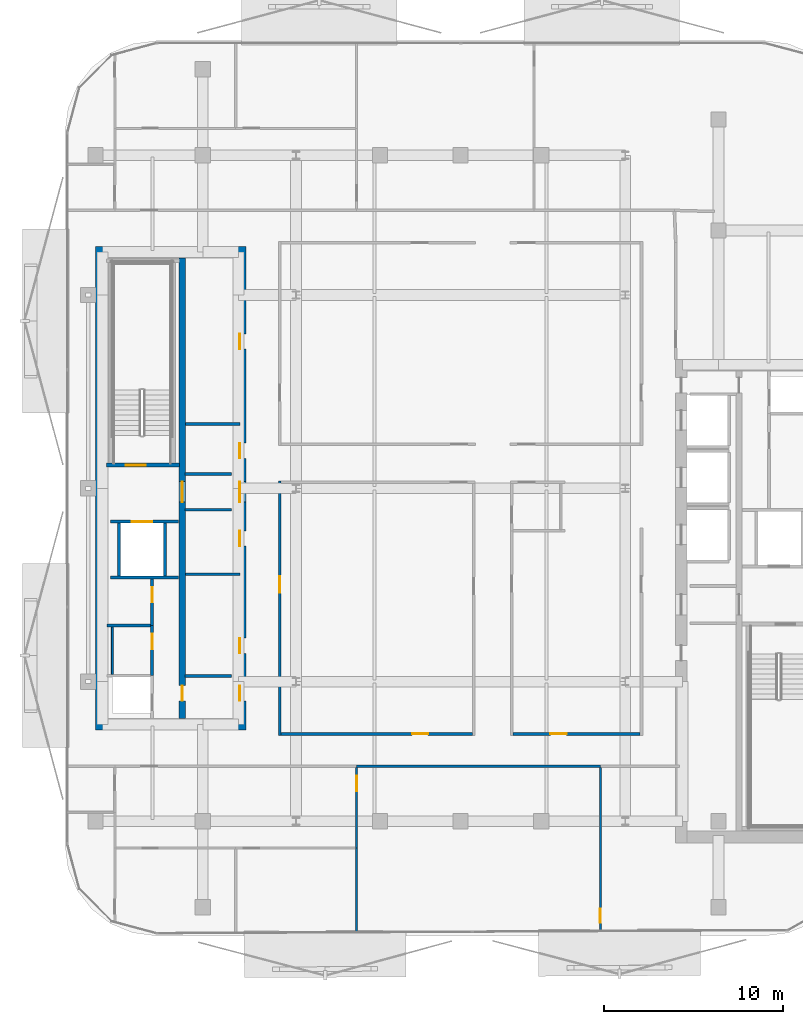
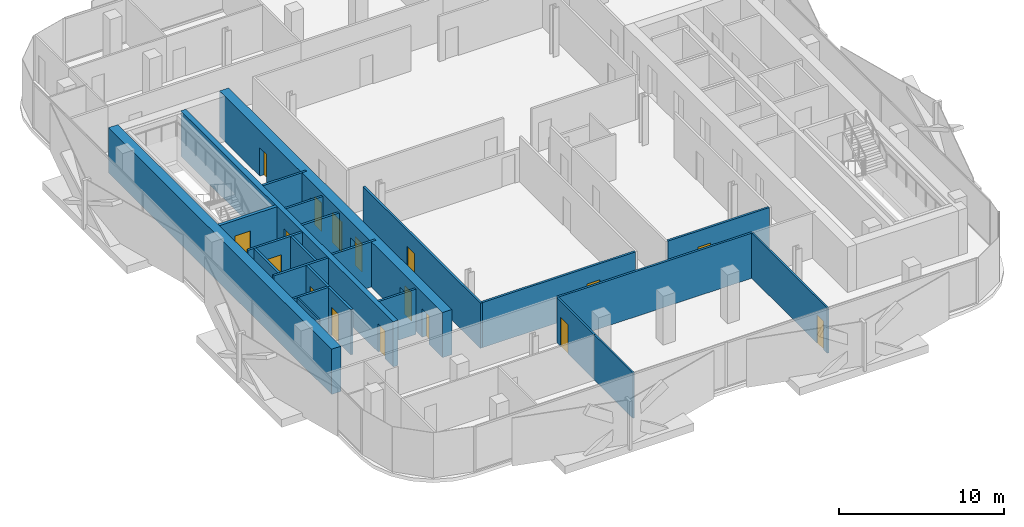
# One storey, part 3 of 14: 24 walls, 17 doors, 17 openings.
"""IFC4 building model written with IfcOpenShell, lengths in metres."""

from ifc_helpers import new_model, si_unit, direction, frame, frame_2d, origin, place, context, subcontext, project, spatial, rectangle, extrude, material, layer, layer_set, type_object, element, fill, save


model = new_model("IFC4")

# Units and contexts
model_context = context("Model", 3, precision=1e-05, world=origin(), true_north=direction((0.0, 1.0)))
body_context = subcontext(model_context, "Body", "Model", "MODEL_VIEW")
ifc_project = project(units=[si_unit("LENGTHUNIT", "METRE"), si_unit("AREAUNIT", "SQUARE_METRE"), si_unit("VOLUMEUNIT", "CUBIC_METRE"), si_unit("PLANEANGLEUNIT", "RADIAN"), si_unit("MASSUNIT", "GRAM", prefix="KILO")], contexts=[model_context])

# Site, building, storey
site_placement = place(None, origin())
site = spatial("IfcSite", under=ifc_project, at=site_placement, CompositionType="ELEMENT")
building_placement = place(site_placement, origin())
building = spatial("IfcBuilding", under=site, at=building_placement, Name="Khairoan Windgate Tower", CompositionType="ELEMENT")
storey_placement = place(building_placement, frame((0.0, 0.0, 236.800048828125)))
storey = spatial("IfcBuildingStorey", under=building, at=storey_placement, Name="L55", CompositionType="ELEMENT", Elevation=236.800048828125)

# Wall
ifc_material_1 = material(Name="Moisture-Resistant Gypsum Partition", Category="gypsum")
ifc_layer_1 = layer(ifc_material_1, 0.10009765625, Name="Moisture-Resistant Gypsum Partition")
ifc_layer_set_1 = layer_set([ifc_layer_1], Name="Moisture-Resistant Gypsum Partition")
wall_type_1 = type_object("IfcWallType", Name="Bathroom Wet-Area Partition Wall", PredefinedType="PARTITIONING", material=ifc_layer_set_1)
wall_1_placement = place(storey_placement, frame((-19.449951171875, -10.389892578125, 0.0), z_axis=(0.0, 0.0, 1.0), x_axis=(0.0, 1.0, 0.0)))
element("IfcWall", 1, at=wall_1_placement, inside=storey, type_object=wall_type_1, Name="L55 Wet Room Side Wall 058", PredefinedType="PARTITIONING", context=body_context, shape_type="SweptSolid", body=[
    extrude(rectangle(XDim=2.639892578125, YDim=0.10009765625, at=frame_2d((1.31982421875, 0.0))), origin(), (0.0, 0.0, 1.0), 3.33984375),
])

# Wall, opening, door
ifc_material_2 = material(Name="Concrete C40/50", Category="concrete")
ifc_layer_2 = layer(ifc_material_2, 0.159912109375, Name="Concrete C40/50")
ifc_layer_set_2 = layer_set([ifc_layer_2], Name="Concrete C40/50")
wall_type_2 = type_object("IfcWallType", Name="Core and Hoistway Enclosure Wall", PredefinedType="STANDARD", material=ifc_layer_set_2)
wall_2_placement = place(storey_placement, frame((-19.550048828125, -1.860107421875, 0.0), z_axis=(0.0, 0.0, 1.0), x_axis=(1.0, 0.0, 0.0)))
wall_2 = element("IfcWall", 2, at=wall_2_placement, inside=storey, type_object=wall_type_2, Name="L55 Core Shaft Wall SW-FL2-L55", PredefinedType="STANDARD", context=body_context, shape_type="SweptSolid", body=[
    extrude(rectangle(XDim=3.800048828125, YDim=0.159912109375, at=frame_2d((1.89990234375, 0.0))), origin(), (0.0, 0.0, 1.0), 3.33984375),
])
opening_1_placement = place(wall_2_placement, frame((1.179931640625, 0.0, 0.0)))
opening_1 = element("IfcOpeningElement", 3, at=opening_1_placement, cuts=wall_2, Name="Opening LD-FL", PredefinedType="OPENING", context=body_context, shape_type="SweptSolid", body=[
    extrude(rectangle(XDim=1.14990234375, YDim=2.199951171875, at=frame_2d((0.574951171875, 1.10009765625))), frame((0.0, 0.08984375, 0.0), z_axis=(0.0, -1.0, 0.0), x_axis=(1.0, 0.0, 0.0)), (0.0, 0.0, 1.0), 0.179931640625),
])
ifc_material_3 = material(Name="Steel S355", Category="steel")
door_type_1 = type_object("IfcDoorType", Name="Firefighting Lift Sliding Landing Door LD-FL 1150x2200", OperationType="DOUBLE_DOOR_SLIDING", PredefinedType="DOOR", material=ifc_material_3)
door_1_placement = place(opening_1_placement, origin())
door_1 = element("IfcDoor", 4, at=door_1_placement, inside=storey, type_object=door_type_1, Name="L55 Firefighting Lift FL2 Landing Door", OperationType="DOUBLE_DOOR_SLIDING", OverallHeight=2.199951171875, OverallWidth=1.14990234375, PredefinedType="DOOR", context=body_context, shape_type="SweptSolid", body=[
    extrude(rectangle(XDim=1.14990234375, YDim=2.199951171875, at=frame_2d((0.574951171875, 1.10009765625))), frame((0.0, 0.02490234375, 0.0), z_axis=(0.0, -1.0, 0.0), x_axis=(1.0, 0.0, 0.0)), (0.0, 0.0, 1.0), 0.050048828125),
])
fill(opening_1, door_1)

# Walls
wall_3_placement = place(storey_placement, frame((-19.550048828125, -4.97998046875, 0.0), z_axis=(0.0, 0.0, 1.0), x_axis=(1.0, 0.0, 0.0)))
element("IfcWall", 5, at=wall_3_placement, inside=storey, type_object=wall_type_2, Name="L55 Core Shaft Wall SW-FL2B-L55", PredefinedType="STANDARD", context=body_context, shape_type="SweptSolid", body=[
    extrude(rectangle(XDim=3.800048828125, YDim=0.159912109375, at=frame_2d((1.89990234375, 0.0))), origin(), (0.0, 0.0, 1.0), 3.33984375),
])
for number, where, z_axis, x_axis, name in (
    (6, (-19.080078125, -4.89990234375, 0.0), (0.0, 0.0, 1.0), (0.0, 1.0, 0.0), "L55 Core Shaft Wall SW-FL2W-L55"),
    (7, (-16.52001953125, -4.89990234375, 0.0), (0.0, 0.0, 1.0), (0.0, 1.0, 0.0), "L55 Core Shaft Wall SW-FL2E-L55"),
):
    element("IfcWall", number, at=place(storey_placement, frame(where, z_axis=z_axis, x_axis=x_axis)), inside=storey, type_object=wall_type_2, Name=name, PredefinedType="STANDARD", context=body_context, shape_type="SweptSolid", body=[
        extrude(rectangle(XDim=2.9599609375, YDim=0.159912109375, at=frame_2d((1.47998046875, 0.0))), origin(), (0.0, 0.0, 1.0), 3.33984375),
    ])
for number, where, z_axis, x_axis, name in (
    (8, (-15.39990234375, 0.800048828125, 0.0), (0.0, 0.0, 1.0), (1.0, 0.0, 0.0), "L55 Core Shaft Wall SW-WV1-L55"),
    (9, (-15.39990234375, -1.199951171875, 0.0), (0.0, 0.0, 1.0), (1.0, 0.0, 0.0), "L55 Core Shaft Wall SW-WV2-L55"),
    (10, (-15.39990234375, -10.47998046875, 0.0), (0.0, 0.0, 1.0), (1.0, 0.0, 0.0), "L55 Core Shaft Wall SW-WSV-L55"),
):
    element("IfcWall", number, at=place(storey_placement, frame(where, z_axis=z_axis, x_axis=x_axis)), inside=storey, type_object=wall_type_2, Name=name, PredefinedType="STANDARD", context=body_context, shape_type="SweptSolid", body=[
        extrude(rectangle(XDim=2.599853515625, YDim=0.159912109375, at=frame_2d((1.2998046875, 0.0))), origin(), (0.0, 0.0, 1.0), 3.33984375),
    ])

# Wall, opening, door
ifc_material_4 = material(Name="Gypsum Stud Partition", Category="gypsum")
ifc_layer_3 = layer(ifc_material_4, 0.1201171875, Name="Gypsum Stud Partition")
ifc_layer_set_3 = layer_set([ifc_layer_3], Name="Gypsum Stud Partition")
wall_type_3 = type_object("IfcWallType", Name="Internal Room Partition Wall", PredefinedType="PARTITIONING", material=ifc_layer_set_3)
wall_4_placement = place(storey_placement, frame((-5.81005859375, -20.10009765625, 0.0), z_axis=(0.0, 0.0, 1.0), x_axis=(0.0, 1.0, 0.0)))
wall_4 = element("IfcWall", 11, at=wall_4_placement, inside=storey, type_object=wall_type_3, Name="L55 Interior Partition 051", PredefinedType="PARTITIONING", context=body_context, shape_type="SweptSolid", body=[
    extrude(rectangle(XDim=4.5, YDim=0.1201171875, at=frame_2d((2.25, 0.0))), origin(), (0.0, 0.0, 1.0), 3.33984375),
])
opening_2_placement = place(wall_4_placement, frame((3.179931640625, 0.0, 0.0)))
opening_2 = element("IfcOpeningElement", 12, at=opening_2_placement, cuts=wall_4, Name="Opening ID-RM", PredefinedType="OPENING", context=body_context, shape_type="SweptSolid", body=[
    extrude(rectangle(XDim=0.860107421875, YDim=2.14990234375, at=frame_2d((0.43017578125, 1.074951171875))), frame((0.0, 0.070068359375, 0.0), z_axis=(0.0, -1.0, 0.0), x_axis=(1.0, 0.0, 0.0)), (0.0, 0.0, 1.0), 0.14013671875),
])
ifc_material_5 = material(Name="Teak Veneer Timber Leaf", Category="wood")
door_type_2 = type_object("IfcDoorType", Name="Internal Bedroom and Office Door ID-RM 860x2150", OperationType="NOTDEFINED", PredefinedType="DOOR", material=ifc_material_5)
door_2_placement = place(opening_2_placement, origin())
door_2 = element("IfcDoor", 13, at=door_2_placement, inside=storey, type_object=door_type_2, Name="L55 L55-41-L55-42 Door", OperationType="SINGLE_SWING_LEFT", OverallHeight=2.14990234375, OverallWidth=0.860107421875, PredefinedType="DOOR", context=body_context, shape_type="SweptSolid", body=[
    extrude(rectangle(XDim=0.860107421875, YDim=2.14990234375, at=frame_2d((0.43017578125, 1.074951171875))), frame((0.0, 0.02490234375, 0.0), z_axis=(0.0, -1.0, 0.0), x_axis=(1.0, 0.0, 0.0)), (0.0, 0.0, 1.0), 0.050048828125),
])
fill(opening_2, door_2)

wall_5_placement = place(storey_placement, frame((7.804931640625, -24.7353515625, 0.0), z_axis=(0.0, 0.0, 1.0), x_axis=(0.0, 1.0, 0.0)))
wall_5 = element("IfcWall", 14, at=wall_5_placement, inside=storey, type_object=wall_type_3, Name="L55 Interior Partition 054", PredefinedType="PARTITIONING", context=body_context, shape_type="SweptSolid", body=[
    extrude(rectangle(XDim=9.13525390625, YDim=0.1201171875, at=frame_2d((4.567626953125, 0.0))), origin(), (0.0, 0.0, 1.0), 3.33984375),
])
opening_3_placement = place(wall_5_placement, frame((0.4599609375, 0.0, 0.0)))
opening_3 = element("IfcOpeningElement", 15, at=opening_3_placement, cuts=wall_5, Name="Opening ID-BTH", PredefinedType="OPENING", context=body_context, shape_type="SweptSolid", body=[
    extrude(rectangle(XDim=0.800048828125, YDim=2.10009765625, at=frame_2d((0.39990234375, 1.050048828125))), frame((0.0, 0.070068359375, 0.0), z_axis=(0.0, -1.0, 0.0), x_axis=(1.0, 0.0, 0.0)), (0.0, 0.0, 1.0), 0.14013671875),
])
ifc_material_6 = material(Name="Teak Veneer Timber Leaf", Category="wood")
door_type_3 = type_object("IfcDoorType", Name="Internal Bathroom Door ID-BTH 800x2100", OperationType="NOTDEFINED", PredefinedType="DOOR", material=ifc_material_6)
door_3_placement = place(opening_3_placement, origin())
door_3 = element("IfcDoor", 16, at=door_3_placement, inside=storey, type_object=door_type_3, Name="L55 L55-42-L55-43 Door", OperationType="SINGLE_SWING_LEFT", OverallHeight=2.10009765625, OverallWidth=0.800048828125, PredefinedType="DOOR", context=body_context, shape_type="SweptSolid", body=[
    extrude(rectangle(XDim=0.800048828125, YDim=2.10009765625, at=frame_2d((0.39990234375, 1.050048828125))), frame((0.0, 0.02490234375, 0.0), z_axis=(0.0, -1.0, 0.0), x_axis=(1.0, 0.0, 0.0)), (0.0, 0.0, 1.0), 0.050048828125),
])
fill(opening_3, door_3)

# Wall
wall_6_placement = place(storey_placement, frame((-5.81005859375, -24.801025390625, 0.0), z_axis=(0.0, 0.0, 1.0), x_axis=(0.0, 1.0, 0.0)))
element("IfcWall", 17, at=wall_6_placement, inside=storey, type_object=wall_type_3, Name="L55 Interior Partition 055", PredefinedType="PARTITIONING", context=body_context, shape_type="SweptSolid", body=[
    extrude(rectangle(XDim=4.700927734375, YDim=0.1201171875, at=frame_2d((2.3505859375, 0.0))), origin(), (0.0, 0.0, 1.0), 3.33984375),
])

# Wall, opening, door
ifc_material_7 = material(Name="Concrete C40/50", Category="concrete")
ifc_layer_4 = layer(ifc_material_7, 0.159912109375, Name="Concrete C40/50")
ifc_layer_set_4 = layer_set([ifc_layer_4], Name="Concrete C40/50")
wall_type_4 = type_object("IfcWallType", Name="Plant and Refuge Compartment Wall", PredefinedType="PARTITIONING", material=ifc_layer_set_4)
wall_7_placement = place(storey_placement, frame((-17.22998046875, -10.469970703125, 0.0), z_axis=(0.0, 0.0, 1.0), x_axis=(0.0, 1.0, 0.0)))
wall_7 = element("IfcWall", 18, at=wall_7_placement, inside=storey, type_object=wall_type_4, Name="L55 Interior Partition 002", PredefinedType="PARTITIONING", context=body_context, shape_type="SweptSolid", body=[
    extrude(rectangle(XDim=2.800048828125, YDim=0.159912109375, at=frame_2d((1.39990234375, 0.0))), origin(), (0.0, 0.0, 1.0), 3.33984375),
])
opening_4_placement = place(wall_7_placement, frame((1.489990234375, 0.0, 0.0)))
opening_4 = element("IfcOpeningElement", 19, at=opening_4_placement, cuts=wall_7, Name="Opening FD-SRV", PredefinedType="OPENING", context=body_context, shape_type="SweptSolid", body=[
    extrude(rectangle(XDim=0.85009765625, YDim=2.10009765625, at=frame_2d((0.425048828125, 1.050048828125))), frame((0.0, 0.08984375, 0.0), z_axis=(0.0, -1.0, 0.0), x_axis=(1.0, 0.0, 0.0)), (0.0, 0.0, 1.0), 0.179931640625),
])
ifc_material_8 = material(Name="Steel S355", Category="steel")
door_type_4 = type_object("IfcDoorType", Name="Core Service and Riser Fire Door FD-SRV 850x2100", OperationType="NOTDEFINED", PredefinedType="DOOR", material=ifc_material_8)
door_4_placement = place(opening_4_placement, origin())
door_4 = element("IfcDoor", 20, at=door_4_placement, inside=storey, type_object=door_type_4, Name="L55 L55-04-L55-06 Door", OperationType="SINGLE_SWING_LEFT", OverallHeight=2.10009765625, OverallWidth=0.85009765625, PredefinedType="DOOR", context=body_context, shape_type="SweptSolid", body=[
    extrude(rectangle(XDim=0.85009765625, YDim=2.10009765625, at=frame_2d((0.425048828125, 1.050048828125))), frame((0.0, 0.02490234375, 0.0), z_axis=(0.0, -1.0, 0.0), x_axis=(1.0, 0.0, 0.0)), (0.0, 0.0, 1.0), 0.050048828125),
])
fill(opening_4, door_4)

wall_8_placement = place(storey_placement, frame((-17.22998046875, -7.669921875, 0.0), z_axis=(0.0, 0.0, 1.0), x_axis=(0.0, 1.0, 0.0)))
wall_8 = element("IfcWall", 21, at=wall_8_placement, inside=storey, type_object=wall_type_4, Name="L55 Interior Partition 003", PredefinedType="PARTITIONING", context=body_context, shape_type="SweptSolid", body=[
    extrude(rectangle(XDim=2.60986328125, YDim=0.159912109375, at=frame_2d((1.304931640625, 0.0))), origin(), (0.0, 0.0, 1.0), 3.33984375),
])
opening_5_placement = place(wall_8_placement, frame((1.300048828125, 0.0, 0.0)))
opening_5 = element("IfcOpeningElement", 22, at=opening_5_placement, cuts=wall_8, Name="Opening FD-SRV", PredefinedType="OPENING", context=body_context, shape_type="SweptSolid", body=[
    extrude(rectangle(XDim=0.85009765625, YDim=2.10009765625, at=frame_2d((0.425048828125, 1.050048828125))), frame((0.0, 0.08984375, 0.0), z_axis=(0.0, -1.0, 0.0), x_axis=(1.0, 0.0, 0.0)), (0.0, 0.0, 1.0), 0.179931640625),
])
door_5_placement = place(opening_5_placement, origin())
door_5 = element("IfcDoor", 23, at=door_5_placement, inside=storey, type_object=door_type_4, Name="L55 L55-04-L55-07 Door", OperationType="SINGLE_SWING_RIGHT", OverallHeight=2.10009765625, OverallWidth=0.85009765625, PredefinedType="DOOR", context=body_context, shape_type="SweptSolid", body=[
    extrude(rectangle(XDim=0.85009765625, YDim=2.10009765625, at=frame_2d((0.425048828125, 1.050048828125))), frame((0.0, 0.02490234375, 0.0), z_axis=(0.0, -1.0, 0.0), x_axis=(1.0, 0.0, 0.0)), (0.0, 0.0, 1.0), 0.050048828125),
])
fill(opening_5, door_5)

# Walls
wall_9_placement = place(storey_placement, frame((-19.75, -7.669921875, 0.0), z_axis=(0.0, 0.0, 1.0), x_axis=(1.0, 0.0, 0.0)))
element("IfcWall", 24, at=wall_9_placement, inside=storey, type_object=wall_type_4, Name="L55 Interior Partition 005", PredefinedType="PARTITIONING", context=body_context, shape_type="SweptSolid", body=[
    extrude(rectangle(XDim=2.43994140625, YDim=0.159912109375, at=frame_2d((1.219970703125, 0.0))), origin(), (0.0, 0.0, 1.0), 3.33984375),
])
for number, where, z_axis, x_axis, name in (
    (25, (-15.375, 3.60009765625, 0.0), (0.0, 0.0, 1.0), (1.0, 0.0, 0.0), "L55 Interior Partition 006"),
    (26, (-15.375, -4.800048828125, 0.0), (0.0, 0.0, 1.0), (1.0, 0.0, 0.0), "L55 Interior Partition 007"),
):
    element("IfcWall", number, at=place(storey_placement, frame(where, z_axis=z_axis, x_axis=x_axis)), inside=storey, type_object=wall_type_4, Name=name, PredefinedType="PARTITIONING", context=body_context, shape_type="SweptSolid", body=[
        extrude(rectangle(XDim=3.06494140625, YDim=0.159912109375, at=frame_2d((1.532470703125, 0.0))), origin(), (0.0, 0.0, 1.0), 3.33984375),
    ])

# Wall, opening, door
ifc_material_9 = material(Name="Acoustic Fire-Rated Gypsum Partition", Category="gypsum")
ifc_layer_5 = layer(ifc_material_9, 0.14990234375, Name="Acoustic Fire-Rated Gypsum Partition")
ifc_layer_set_5 = layer_set([ifc_layer_5], Name="Acoustic Fire-Rated Gypsum Partition")
wall_type_5 = type_object("IfcWallType", Name="Rated Corridor Partition Wall", PredefinedType="PARTITIONING", material=ifc_layer_set_5)
wall_10_placement = place(storey_placement, frame((-10.10009765625, -13.794921875, 0.0), z_axis=(0.0, 0.0, 1.0), x_axis=(0.0, 1.0, 0.0)))
wall_10 = element("IfcWall", 27, at=wall_10_placement, inside=storey, type_object=wall_type_5, Name="L55 Interior Partition 012", PredefinedType="PARTITIONING", context=body_context, shape_type="SweptSolid", body=[
    extrude(rectangle(XDim=14.204833984375, YDim=0.14990234375, at=frame_2d((7.1025390625, 0.0))), origin(), (0.0, 0.0, 1.0), 3.33984375),
])
opening_6_placement = place(wall_10_placement, frame((7.97216796875, 0.0, 0.0)))
opening_6 = element("IfcOpeningElement", 28, at=opening_6_placement, cuts=wall_10, Name="Opening FD-ENT", PredefinedType="OPENING", context=body_context, shape_type="SweptSolid", body=[
    extrude(rectangle(XDim=0.89990234375, YDim=2.14990234375, at=frame_2d((0.449951171875, 1.074951171875))), frame((0.0, 0.0849609375, 0.0), z_axis=(0.0, -1.0, 0.0), x_axis=(1.0, 0.0, 0.0)), (0.0, 0.0, 1.0), 0.169921875),
])
ifc_material_10 = material(Name="Timber Fire-Rated Core", Category="wood")
door_type_5 = type_object("IfcDoorType", Name="Unit and Office Fire Entrance Door FD-ENT 900x2150", OperationType="NOTDEFINED", PredefinedType="DOOR", material=ifc_material_10)
door_6_placement = place(opening_6_placement, origin())
door_6 = element("IfcDoor", 29, at=door_6_placement, inside=storey, type_object=door_type_5, Name="L55 L55-26-L55-48 Door", OperationType="SINGLE_SWING_RIGHT", OverallHeight=2.14990234375, OverallWidth=0.89990234375, PredefinedType="DOOR", context=body_context, shape_type="SweptSolid", body=[
    extrude(rectangle(XDim=0.89990234375, YDim=2.14990234375, at=frame_2d((0.449951171875, 1.074951171875))), frame((0.0, 0.02490234375, 0.0), z_axis=(0.0, -1.0, 0.0), x_axis=(1.0, 0.0, 0.0)), (0.0, 0.0, 1.0), 0.050048828125),
])
fill(opening_6, door_6)

# Wall
wall_11_placement = place(storey_placement, frame((-5.81005859375, -15.52490234375, 0.0), z_axis=(0.0, 0.0, 1.0), x_axis=(1.0, 0.0, 0.0)))
element("IfcWall", 30, at=wall_11_placement, inside=storey, type_object=wall_type_5, Name="L55 Interior Partition 032", PredefinedType="PARTITIONING", context=body_context, shape_type="SweptSolid", body=[
    extrude(rectangle(XDim=13.614990234375, YDim=0.14990234375, at=frame_2d((6.8076171875, 0.0))), origin(), (0.0, 0.0, 1.0), 3.33984375),
])

# Wall, opening, door
wall_12_placement = place(storey_placement, frame((-10.02490234375, -13.719970703125, 0.0), z_axis=(0.0, 0.0, 1.0), x_axis=(1.0, 0.0, 0.0)))
wall_12 = element("IfcWall", 31, at=wall_12_placement, inside=storey, type_object=wall_type_5, Name="L55 Interior Partition 034", PredefinedType="PARTITIONING", context=body_context, shape_type="SweptSolid", body=[
    extrude(rectangle(XDim=10.684814453125, YDim=0.14990234375, at=frame_2d((5.34228515625, 0.0))), origin(), (0.0, 0.0, 1.0), 3.33984375),
])
opening_7_placement = place(wall_12_placement, frame((7.310302734375, 0.0, 0.0)))
opening_7 = element("IfcOpeningElement", 32, at=opening_7_placement, cuts=wall_12, Name="Opening FD-ENT", PredefinedType="OPENING", context=body_context, shape_type="SweptSolid", body=[
    extrude(rectangle(XDim=0.89990234375, YDim=2.14990234375, at=frame_2d((0.449951171875, 1.074951171875))), frame((0.0, 0.0849609375, 0.0), z_axis=(0.0, -1.0, 0.0), x_axis=(1.0, 0.0, 0.0)), (0.0, 0.0, 1.0), 0.169921875),
])
door_7_placement = place(opening_7_placement, origin())
door_7 = element("IfcDoor", 33, at=door_7_placement, inside=storey, type_object=door_type_5, Name="L55 L55-31-L55-48 Door", OperationType="SINGLE_SWING_RIGHT", OverallHeight=2.14990234375, OverallWidth=0.89990234375, PredefinedType="DOOR", context=body_context, shape_type="SweptSolid", body=[
    extrude(rectangle(XDim=0.89990234375, YDim=2.14990234375, at=frame_2d((0.449951171875, 1.074951171875))), frame((0.0, 0.02490234375, 0.0), z_axis=(0.0, -1.0, 0.0), x_axis=(1.0, 0.0, 0.0)), (0.0, 0.0, 1.0), 0.050048828125),
])
fill(opening_7, door_7)

wall_13_placement = place(storey_placement, frame((2.93994140625, -13.719970703125, 0.0), z_axis=(0.0, 0.0, 1.0), x_axis=(1.0, 0.0, 0.0)))
wall_13 = element("IfcWall", 34, at=wall_13_placement, inside=storey, type_object=wall_type_5, Name="L55 Interior Partition 035", PredefinedType="PARTITIONING", context=body_context, shape_type="SweptSolid", body=[
    extrude(rectangle(XDim=7.0849609375, YDim=0.14990234375, at=frame_2d((3.54248046875, 0.0))), origin(), (0.0, 0.0, 1.0), 3.33984375),
])
opening_8_placement = place(wall_13_placement, frame((2.080078125, 0.0, 0.0)))
opening_8 = element("IfcOpeningElement", 35, at=opening_8_placement, cuts=wall_13, Name="Opening FD-ENT", PredefinedType="OPENING", context=body_context, shape_type="SweptSolid", body=[
    extrude(rectangle(XDim=0.89990234375, YDim=2.14990234375, at=frame_2d((0.449951171875, 1.074951171875))), frame((0.0, 0.0849609375, 0.0), z_axis=(0.0, -1.0, 0.0), x_axis=(1.0, 0.0, 0.0)), (0.0, 0.0, 1.0), 0.169921875),
])
door_8_placement = place(opening_8_placement, origin())
door_8 = element("IfcDoor", 36, at=door_8_placement, inside=storey, type_object=door_type_5, Name="L55 L55-31-L55-51 Door", OperationType="SINGLE_SWING_LEFT", OverallHeight=2.14990234375, OverallWidth=0.89990234375, PredefinedType="DOOR", context=body_context, shape_type="SweptSolid", body=[
    extrude(rectangle(XDim=0.89990234375, YDim=2.14990234375, at=frame_2d((0.449951171875, 1.074951171875))), frame((0.0, 0.02490234375, 0.0), z_axis=(0.0, -1.0, 0.0), x_axis=(1.0, 0.0, 0.0)), (0.0, 0.0, 1.0), 0.050048828125),
])
fill(opening_8, door_8)

# Wall
ifc_material_11 = material(Name="Concrete C60/75", Category="concrete")
ifc_layer_6 = layer(ifc_material_11, 0.64990234375, Name="Concrete C60/75")
ifc_layer_set_6 = layer_set([ifc_layer_6], Name="Concrete C60/75")
wall_type_6 = type_object("IfcWallType", Name="Shear Wall CW-W2 650mm", PredefinedType="SHEAR", material=ifc_layer_set_6)
wall_14_placement = place(storey_placement, frame((-20.074951171875, -13.5, 0.0), z_axis=(0.0, 0.0, 1.0), x_axis=(0.0, 1.0, 0.0)))
element("IfcWall", 37, at=wall_14_placement, inside=storey, type_object=wall_type_6, Name="W Core West Shear Wall L55", PredefinedType="SHEAR", context=body_context, shape_type="SweptSolid", body=[
    extrude(rectangle(XDim=27.0, YDim=0.64990234375, at=frame_2d((13.5, 0.0))), origin(), (0.0, 0.0, 1.0), 3.33984375),
])

# Wall, openings, doors
wall_15_placement = place(storey_placement, frame((-12.324951171875, -13.5, 0.0), z_axis=(0.0, 0.0, 1.0), x_axis=(0.0, 1.0, 0.0)))
wall_15 = element("IfcWall", 38, at=wall_15_placement, inside=storey, type_object=wall_type_6, Name="W Core East Shear Wall L55", PredefinedType="SHEAR", context=body_context, shape_type="SweptSolid", body=[
    extrude(rectangle(XDim=27.0, YDim=0.64990234375, at=frame_2d((13.5, 0.0))), origin(), (0.0, 0.0, 1.0), 3.33984375),
])
opening_9_placement = place(wall_15_placement, frame((15.175048828125, 0.0, 0.0)))
opening_9 = element("IfcOpeningElement", 39, at=opening_9_placement, cuts=wall_15, Name="Opening FD-SRV", PredefinedType="OPENING", context=body_context, shape_type="SweptSolid", body=[
    extrude(rectangle(XDim=0.85009765625, YDim=2.10009765625, at=frame_2d((0.425048828125, 1.050048828125))), frame((0.0, 0.3349609375, 0.0), z_axis=(0.0, -1.0, 0.0), x_axis=(1.0, 0.0, 0.0)), (0.0, 0.0, 1.0), 0.669921875),
])
opening_10_placement = place(wall_15_placement, frame((21.27490234375, 0.0, 0.0)))
opening_10 = element("IfcOpeningElement", 40, at=opening_10_placement, cuts=wall_15, Name="Opening FD-SRV", PredefinedType="OPENING", context=body_context, shape_type="SweptSolid", body=[
    extrude(rectangle(XDim=0.85009765625, YDim=2.10009765625, at=frame_2d((0.425048828125, 1.050048828125))), frame((0.0, 0.3349609375, 0.0), z_axis=(0.0, -1.0, 0.0), x_axis=(1.0, 0.0, 0.0)), (0.0, 0.0, 1.0), 0.669921875),
])
opening_11_placement = place(wall_15_placement, frame((4.27490234375, 0.0, 0.0)))
opening_11 = element("IfcOpeningElement", 41, at=opening_11_placement, cuts=wall_15, Name="Opening FD-SRV", PredefinedType="OPENING", context=body_context, shape_type="SweptSolid", body=[
    extrude(rectangle(XDim=0.85009765625, YDim=2.10009765625, at=frame_2d((0.425048828125, 1.050048828125))), frame((0.0, 0.3349609375, 0.0), z_axis=(0.0, -1.0, 0.0), x_axis=(1.0, 0.0, 0.0)), (0.0, 0.0, 1.0), 0.669921875),
])
opening_12_placement = place(wall_15_placement, frame((10.27490234375, 0.0, 0.0)))
opening_12 = element("IfcOpeningElement", 42, at=opening_12_placement, cuts=wall_15, Name="Opening FD-SRV", PredefinedType="OPENING", context=body_context, shape_type="SweptSolid", body=[
    extrude(rectangle(XDim=0.85009765625, YDim=2.10009765625, at=frame_2d((0.425048828125, 1.050048828125))), frame((0.0, 0.3349609375, 0.0), z_axis=(0.0, -1.0, 0.0), x_axis=(1.0, 0.0, 0.0)), (0.0, 0.0, 1.0), 0.669921875),
])
opening_13_placement = place(wall_15_placement, frame((12.72509765625, 0.0, 0.0)))
opening_13 = element("IfcOpeningElement", 43, at=opening_13_placement, cuts=wall_15, Name="Opening FD-FFL", PredefinedType="OPENING", context=body_context, shape_type="SweptSolid", body=[
    extrude(rectangle(XDim=1.14990234375, YDim=2.199951171875, at=frame_2d((0.574951171875, 1.10009765625))), frame((0.0, 0.3349609375, 0.0), z_axis=(0.0, -1.0, 0.0), x_axis=(1.0, 0.0, 0.0)), (0.0, 0.0, 1.0), 0.669921875),
])
opening_14_placement = place(wall_15_placement, frame((1.625, 0.0, 0.0)))
opening_14 = element("IfcOpeningElement", 44, at=opening_14_placement, cuts=wall_15, Name="Opening FD-SRV", PredefinedType="OPENING", context=body_context, shape_type="SweptSolid", body=[
    extrude(rectangle(XDim=0.85009765625, YDim=2.10009765625, at=frame_2d((0.425048828125, 1.050048828125))), frame((0.0, 0.3349609375, 0.0), z_axis=(0.0, -1.0, 0.0), x_axis=(1.0, 0.0, 0.0)), (0.0, 0.0, 1.0), 0.669921875),
])
door_9_placement = place(opening_9_placement, origin())
door_9 = element("IfcDoor", 45, at=door_9_placement, inside=storey, type_object=door_type_4, Name="L55 Upper Core Room Door B1-1", OperationType="SINGLE_SWING_LEFT", OverallHeight=2.10009765625, OverallWidth=0.85009765625, PredefinedType="DOOR", context=body_context, shape_type="SweptSolid", body=[
    extrude(rectangle(XDim=0.85009765625, YDim=2.10009765625, at=frame_2d((0.425048828125, 1.050048828125))), frame((0.0, 0.02490234375, 0.0), z_axis=(0.0, -1.0, 0.0), x_axis=(1.0, 0.0, 0.0)), (0.0, 0.0, 1.0), 0.050048828125),
])
fill(opening_9, door_9)
door_10_placement = place(opening_10_placement, origin())
door_10 = element("IfcDoor", 46, at=door_10_placement, inside=storey, type_object=door_type_4, Name="L55 Upper Core Room Door B1-2", OperationType="SINGLE_SWING_RIGHT", OverallHeight=2.10009765625, OverallWidth=0.85009765625, PredefinedType="DOOR", context=body_context, shape_type="SweptSolid", body=[
    extrude(rectangle(XDim=0.85009765625, YDim=2.10009765625, at=frame_2d((0.425048828125, 1.050048828125))), frame((0.0, 0.02490234375, 0.0), z_axis=(0.0, -1.0, 0.0), x_axis=(1.0, 0.0, 0.0)), (0.0, 0.0, 1.0), 0.050048828125),
])
fill(opening_10, door_10)
door_11_placement = place(opening_11_placement, origin())
door_11 = element("IfcDoor", 47, at=door_11_placement, inside=storey, type_object=door_type_4, Name="L55 Upper Core Room Door B2-1", OperationType="SINGLE_SWING_LEFT", OverallHeight=2.10009765625, OverallWidth=0.85009765625, PredefinedType="DOOR", context=body_context, shape_type="SweptSolid", body=[
    extrude(rectangle(XDim=0.85009765625, YDim=2.10009765625, at=frame_2d((0.425048828125, 1.050048828125))), frame((0.0, 0.02490234375, 0.0), z_axis=(0.0, -1.0, 0.0), x_axis=(1.0, 0.0, 0.0)), (0.0, 0.0, 1.0), 0.050048828125),
])
fill(opening_11, door_11)
door_12_placement = place(opening_12_placement, origin())
door_12 = element("IfcDoor", 48, at=door_12_placement, inside=storey, type_object=door_type_4, Name="L55 Upper Core Room Door B2-2", OperationType="SINGLE_SWING_RIGHT", OverallHeight=2.10009765625, OverallWidth=0.85009765625, PredefinedType="DOOR", context=body_context, shape_type="SweptSolid", body=[
    extrude(rectangle(XDim=0.85009765625, YDim=2.10009765625, at=frame_2d((0.425048828125, 1.050048828125))), frame((0.0, 0.02490234375, 0.0), z_axis=(0.0, -1.0, 0.0), x_axis=(1.0, 0.0, 0.0)), (0.0, 0.0, 1.0), 0.050048828125),
])
fill(opening_12, door_12)
door_13_placement = place(opening_14_placement, origin())
door_13 = element("IfcDoor", 49, at=door_13_placement, inside=storey, type_object=door_type_4, Name="L55 West Core Service Vestibule Outer Door", OperationType="SINGLE_SWING_RIGHT", OverallHeight=2.10009765625, OverallWidth=0.85009765625, PredefinedType="DOOR", context=body_context, shape_type="SweptSolid", body=[
    extrude(rectangle(XDim=0.85009765625, YDim=2.10009765625, at=frame_2d((0.425048828125, 1.050048828125))), frame((0.0, 0.02490234375, 0.0), z_axis=(0.0, -1.0, 0.0), x_axis=(1.0, 0.0, 0.0)), (0.0, 0.0, 1.0), 0.050048828125),
])
fill(opening_14, door_13)
ifc_material_12 = material(Name="Steel S355", Category="steel")
door_type_6 = type_object("IfcDoorType", Name="Firefighting Lobby Fire Door FD-FFL 1150x2200", OperationType="NOTDEFINED", PredefinedType="DOOR", material=ifc_material_12)
door_14_placement = place(opening_13_placement, origin())
door_14 = element("IfcDoor", 50, at=door_14_placement, inside=storey, type_object=door_type_6, Name="L55 West Core Vestibule Entry Door", OperationType="SINGLE_SWING_RIGHT", OverallHeight=2.199951171875, OverallWidth=1.14990234375, PredefinedType="DOOR", context=body_context, shape_type="SweptSolid", body=[
    extrude(rectangle(XDim=1.14990234375, YDim=2.199951171875, at=frame_2d((0.574951171875, 1.10009765625))), frame((0.0, 0.02490234375, 0.0), z_axis=(0.0, -1.0, 0.0), x_axis=(1.0, 0.0, 0.0)), (0.0, 0.0, 1.0), 0.050048828125),
])
fill(opening_13, door_14)

ifc_material_13 = material(Name="Concrete C60/75", Category="concrete")
ifc_layer_7 = layer(ifc_material_13, 0.35009765625, Name="Concrete C60/75")
ifc_layer_set_7 = layer_set([ifc_layer_7], Name="Concrete C60/75")
wall_type_7 = type_object("IfcWallType", Name="Shear Wall SW-1 350mm", PredefinedType="SHEAR", material=ifc_layer_set_7)
wall_16_placement = place(storey_placement, frame((-15.550048828125, -12.85009765625, 0.0), z_axis=(0.0, 0.0, 1.0), x_axis=(0.0, 1.0, 0.0)))
wall_16 = element("IfcWall", 51, at=wall_16_placement, inside=storey, type_object=wall_type_7, Name="W Core Spine Shear Wall L55", PredefinedType="SHEAR", context=body_context, shape_type="SweptSolid", body=[
    extrude(rectangle(XDim=25.7001953125, YDim=0.35009765625, at=frame_2d((12.85009765625, 0.0))), origin(), (0.0, 0.0, 1.0), 3.33984375),
])
opening_15_placement = place(wall_16_placement, frame((12.074951171875, 0.0, 0.0)))
opening_15 = element("IfcOpeningElement", 52, at=opening_15_placement, cuts=wall_16, Name="Opening FD-FFL", PredefinedType="OPENING", context=body_context, shape_type="SweptSolid", body=[
    extrude(rectangle(XDim=1.14990234375, YDim=2.199951171875, at=frame_2d((0.574951171875, 1.10009765625))), frame((0.0, 0.18505859375, 0.0), z_axis=(0.0, -1.0, 0.0), x_axis=(1.0, 0.0, 0.0)), (0.0, 0.0, 1.0), 0.3701171875),
])
opening_16_placement = place(wall_16_placement, frame((0.97509765625, 0.0, 0.0)))
opening_16 = element("IfcOpeningElement", 53, at=opening_16_placement, cuts=wall_16, Name="Opening FD-SRV", PredefinedType="OPENING", context=body_context, shape_type="SweptSolid", body=[
    extrude(rectangle(XDim=0.85009765625, YDim=2.10009765625, at=frame_2d((0.425048828125, 1.050048828125))), frame((0.0, 0.18505859375, 0.0), z_axis=(0.0, -1.0, 0.0), x_axis=(1.0, 0.0, 0.0)), (0.0, 0.0, 1.0), 0.3701171875),
])
door_15_placement = place(opening_16_placement, origin())
door_15 = element("IfcDoor", 54, at=door_15_placement, inside=storey, type_object=door_type_4, Name="L55 West Core Service Passage Inner Door", OperationType="SINGLE_SWING_LEFT", OverallHeight=2.10009765625, OverallWidth=0.85009765625, PredefinedType="DOOR", context=body_context, shape_type="SweptSolid", body=[
    extrude(rectangle(XDim=0.85009765625, YDim=2.10009765625, at=frame_2d((0.425048828125, 1.050048828125))), frame((0.0, 0.02490234375, 0.0), z_axis=(0.0, -1.0, 0.0), x_axis=(1.0, 0.0, 0.0)), (0.0, 0.0, 1.0), 0.050048828125),
])
fill(opening_16, door_15)
door_16_placement = place(opening_15_placement, origin())
door_16 = element("IfcDoor", 55, at=door_16_placement, inside=storey, type_object=door_type_6, Name="L55 West Firefighting Lobby Fire Door", OperationType="SINGLE_SWING_LEFT", OverallHeight=2.199951171875, OverallWidth=1.14990234375, PredefinedType="DOOR", context=body_context, shape_type="SweptSolid", body=[
    extrude(rectangle(XDim=1.14990234375, YDim=2.199951171875, at=frame_2d((0.574951171875, 1.10009765625))), frame((0.0, 0.02490234375, 0.0), z_axis=(0.0, -1.0, 0.0), x_axis=(1.0, 0.0, 0.0)), (0.0, 0.0, 1.0), 0.050048828125),
])
fill(opening_15, door_16)

# Wall, opening, door
ifc_material_14 = material(Name="Concrete C50/60", Category="concrete")
ifc_layer_8 = layer(ifc_material_14, 0.219970703125, Name="Concrete C50/60")
ifc_layer_set_8 = layer_set([ifc_layer_8], Name="Concrete C50/60")
wall_type_8 = type_object("IfcWallType", Name="Shear Wall SW-ST 220mm", PredefinedType="SHEAR", material=ifc_layer_set_8)
wall_17_placement = place(storey_placement, frame((-19.77001953125, 1.2900390625, 0.0), z_axis=(0.0, 0.0, 1.0), x_axis=(1.0, 0.0, 0.0)))
wall_17 = element("IfcWall", 56, at=wall_17_placement, inside=storey, type_object=wall_type_8, Name="L55 Stair ST2 South Bearing Wall", PredefinedType="SHEAR", context=body_context, shape_type="SweptSolid", body=[
    extrude(rectangle(XDim=4.06494140625, YDim=0.219970703125, at=frame_2d((2.032470703125, 0.0))), origin(), (0.0, 0.0, 1.0), 3.33984375),
])
opening_17_placement = place(wall_17_placement, frame((1.080078125, 0.0, 0.0)))
opening_17 = element("IfcOpeningElement", 57, at=opening_17_placement, cuts=wall_17, Name="Opening FD-ST", PredefinedType="OPENING", context=body_context, shape_type="SweptSolid", body=[
    extrude(rectangle(XDim=1.10009765625, YDim=2.199951171875, at=frame_2d((0.550048828125, 1.10009765625))), frame((0.0, 0.119873046875, 0.0), z_axis=(0.0, -1.0, 0.0), x_axis=(1.0, 0.0, 0.0)), (0.0, 0.0, 1.0), 0.239990234375),
])
ifc_material_15 = material(Name="Steel S355", Category="steel")
door_type_7 = type_object("IfcDoorType", Name="Smokeproof Stair Fire Door FD-ST 1100x2200", OperationType="NOTDEFINED", PredefinedType="DOOR", material=ifc_material_15)
door_17_placement = place(opening_17_placement, origin())
door_17 = element("IfcDoor", 58, at=door_17_placement, inside=storey, type_object=door_type_7, Name="L55 Stair ST2 Fire Door", OperationType="SINGLE_SWING_RIGHT", OverallHeight=2.199951171875, OverallWidth=1.10009765625, PredefinedType="DOOR", context=body_context, shape_type="SweptSolid", body=[
    extrude(rectangle(XDim=1.10009765625, YDim=2.199951171875, at=frame_2d((0.550048828125, 1.10009765625))), frame((0.0, 0.02490234375, 0.0), z_axis=(0.0, -1.0, 0.0), x_axis=(1.0, 0.0, 0.0)), (0.0, 0.0, 1.0), 0.050048828125),
])
fill(opening_17, door_17)

save(model, "model.ifc")
